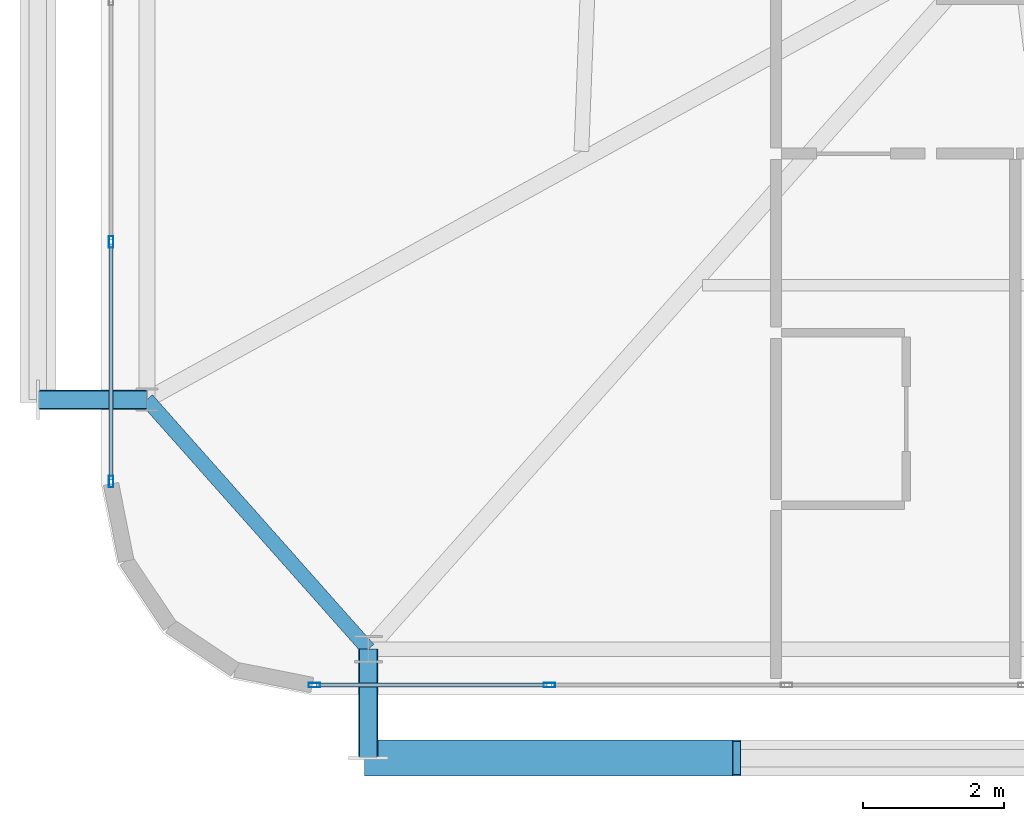
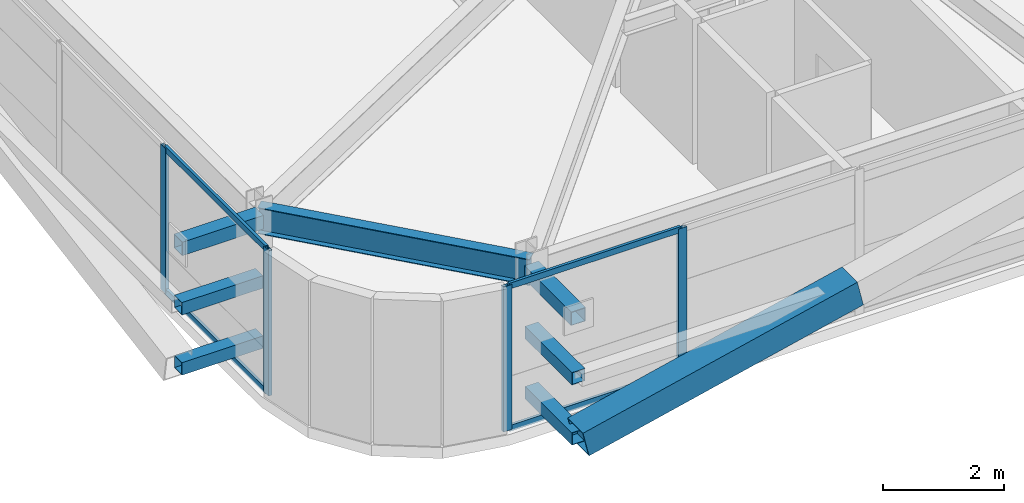
# One storey, part 5 of 58: 15 members, 1 beam, 2 elements without a shape of their own.
"""IFC4 building model written with IfcOpenShell, lengths in metres."""

from ifc_helpers import new_model, si_unit, direction, frame, origin, origin_2d, place, context, subcontext, project, spatial, hollow_rectangle, i_section, extrude, source, transform, mapped, material, layer, layer_set, material_profile, profile_set, type_object, element, aggregate, save


model = new_model("IFC4")

# Units and contexts
model_context = context("Model", 3, precision=1e-05, world=origin(), true_north=direction((0.0, 1.0)))
body_context = subcontext(model_context, "Body", "Model", "MODEL_VIEW")
ifc_project = project(units=[si_unit("LENGTHUNIT", "METRE"), si_unit("AREAUNIT", "SQUARE_METRE"), si_unit("VOLUMEUNIT", "CUBIC_METRE"), si_unit("PLANEANGLEUNIT", "RADIAN"), si_unit("MASSUNIT", "GRAM", prefix="KILO")], contexts=[model_context])

# Site, building, storey
site_placement = place(None, origin())
site = spatial("IfcSite", under=ifc_project, at=site_placement, CompositionType="ELEMENT")
building_placement = place(site_placement, origin())
building = spatial("IfcBuilding", under=site, at=building_placement, Name="Taldren Reach Tower", CompositionType="ELEMENT")
storey_placement = place(building_placement, frame((0.0, 0.0, 54.60009765625)))
storey = spatial("IfcBuildingStorey", under=building, at=storey_placement, Name="L16", CompositionType="ELEMENT", Elevation=54.60009765625)

# Beam
ifc_material_1 = material(Name="Steel Gr 350 (350PLUS)", Category="steel")
ifc_material_profile_1 = material_profile(ifc_material_1, i_section(OverallWidth=0.208984375, OverallDepth=0.528076171875, WebThickness=0.009521484375, FlangeThickness=0.01318359375, at=origin_2d()), Name="530UB82.0")
ifc_profile_set_1 = profile_set([ifc_material_profile_1], Name="Steel Gr 350 (350PLUS)")
beam_type = type_object("IfcBeamType", Name="SP-UB530B", PredefinedType="SPANDREL", material=ifc_profile_set_1)
shared_shape_1 = source(origin(), body_context, "Body", "SweptSolid", [
    extrude(i_section(OverallWidth=0.208984375, OverallDepth=0.528076171875, WebThickness=0.009521484375, FlangeThickness=0.01318359375, at=origin_2d()), origin(), (0.0, 0.0, 1.0), 4.74609375),
])
beam_placement = place(storey_placement, frame((5.64990234375, 5.699951171875, 2.666015625), z_axis=(0.663721843779, -0.747979487747, 0.0), x_axis=(0.747979487747, 0.663721843779, 0.0)))
element("IfcBeam", 1, at=beam_placement, inside=storey, type_object=beam_type, Name="Perimeter spandrel B1 W1-S1 L16", PredefinedType="SPANDREL", context=body_context, shape_type="MappedRepresentation", body=[
    mapped(shared_shape_1, transform((0.0, 0.0, 0.0), scale=1.0)),
])

# Members
ifc_material_2 = material(Name="Steel Gr 450 (C450L0)", Category="steel")
ifc_material_profile_2 = material_profile(ifc_material_2, hollow_rectangle(XDim=0.27490234375, YDim=0.27490234375, WallThickness=0.00927734375, at=origin_2d()), Name="275x275x9.3SHS")
ifc_profile_set_2 = profile_set([ifc_material_profile_2], Name="Steel Gr 450 (C450L0)")
member_type_1 = type_object("IfcMemberType", Name="MB-TIE273", PredefinedType="STRUT", material=ifc_profile_set_2)
shared_shape_2 = source(origin(), body_context, "Body", "SweptSolid", [
    extrude(hollow_rectangle(XDim=0.27490234375, YDim=0.27490234375, WallThickness=0.00927734375, at=origin_2d()), origin(), (0.0, 0.0, 1.0), 1.5498046875),
])
for number, where, z_axis, x_axis, name in (
    (2, (8.800048828125, 2.14990234375, 2.64990234375), (0.0, -1.0, 0.0), (1.0, 0.0, 0.0), "Exoskeleton diaphragm tie strut B1-S1 L16"),
    (3, (5.64990234375, 5.699951171875, 2.64990234375), (-1.0, 0.0, 0.0), (0.0, -1.0, 0.0), "Exoskeleton diaphragm tie strut B1-W1 L16"),
):
    element("IfcMember", number, at=place(storey_placement, frame(where, z_axis=z_axis, x_axis=x_axis)), inside=storey, type_object=member_type_1, Name=name, PredefinedType="STRUT", context=body_context, shape_type="MappedRepresentation", body=[
        mapped(shared_shape_2, transform((0.0, 0.0, 0.0), scale=1.0)),
    ])
ifc_material_profile_3 = material_profile(ifc_material_2, hollow_rectangle(XDim=0.510009765625, YDim=0.510009765625, WallThickness=0.02001953125, at=origin_2d()), Name="510x510x20.0SHS")
ifc_profile_set_3 = profile_set([ifc_material_profile_3], Name="Steel Gr 450 (C450L0)")
member_type_2 = type_object("IfcMemberType", Name="MB-EXO508", PredefinedType="BRACE", material=ifc_profile_set_3)
shared_shape_3 = source(origin(), body_context, "Body", "SweptSolid", [
    extrude(hollow_rectangle(XDim=0.510009765625, YDim=0.510009765625, WallThickness=0.02001953125, at=origin_2d()), origin(), (0.0, 0.0, 1.0), 5.37890625),
])
member_1_placement = place(storey_placement, frame((8.800048828125, 0.60009765625, 0.219970703125), z_axis=(0.974161966843, 0.0, 0.225850531007), x_axis=(0.0, 1.0, 0.0)))
element("IfcMember", 4, at=member_1_placement, inside=storey, type_object=member_type_2, Name="Exoskeleton Diagrid Brace B1-S1 L16", PredefinedType="BRACE", context=body_context, shape_type="MappedRepresentation", body=[
    mapped(shared_shape_3, transform((0.0, 0.0, 0.0), scale=1.0)),
])
ifc_material_3 = material(Name="Steel Gr 350 (C350L0)", Category="steel")
ifc_material_profile_4 = material_profile(ifc_material_3, hollow_rectangle(XDim=0.25, YDim=0.25, WallThickness=0.010009765625, at=origin_2d()), Name="250x250x10.0SHS")
ifc_profile_set_4 = profile_set([ifc_material_profile_4], Name="Steel Gr 350 (C350L0)")
member_type_3 = type_object("IfcMemberType", Name="MB-POST250", PredefinedType="POST", material=ifc_profile_set_4)
shared_shape_4 = source(origin(), body_context, "Body", "SweptSolid", [
    extrude(hollow_rectangle(XDim=0.25, YDim=0.25, WallThickness=0.010009765625, at=origin_2d()), origin(), (0.0, 0.0, 1.0), 1.5498046875),
])
for number, where, z_axis, x_axis, name in (
    (5, (8.800048828125, 2.14990234375, 0.219970703125), (0.0, -1.0, 0.0), (1.0, 0.0, 0.0), "Exoskeleton base diaphragm tie strut B1-S1 L16"),
    (6, (5.64990234375, 5.699951171875, 0.219970703125), (-1.0, 0.0, 0.0), (0.0, -1.0, 0.0), "Exoskeleton base diaphragm tie strut B1-W1 L16"),
    (7, (8.800048828125, 2.14990234375, 1.434814453125), (0.0, -1.0, 0.0), (1.0, 0.0, 0.0), "Exoskeleton mid-tier diaphragm tie B1-S1 L16"),
    (8, (5.64990234375, 5.699951171875, 1.434814453125), (-1.0, 0.0, 0.0), (0.0, -1.0, 0.0), "Exoskeleton mid-tier diaphragm tie B1-W1 L16"),
):
    element("IfcMember", number, at=place(storey_placement, frame(where, z_axis=z_axis, x_axis=x_axis)), inside=storey, type_object=member_type_3, Name=name, PredefinedType="POST", context=body_context, shape_type="MappedRepresentation", body=[
        mapped(shared_shape_4, transform((0.0, 0.0, 0.0), scale=1.0)),
    ])

# Curtain wall, members
ifc_material_4 = material(Name="Aluminium and Low-E Glass Unitised System", Category="aluminium")
ifc_layer = layer(ifc_material_4, 0.159912109375)
ifc_layer_set = layer_set([ifc_layer], Name="Aluminium and Low-E Glass Unitised System")
curtain_wall_type = type_object("IfcCurtainWallType", Name="CW-SYS-2", PredefinedType="NOTDEFINED", material=ifc_layer_set)
curtain_wall_1_placement = place(storey_placement, origin())
curtain_wall_1 = element("IfcCurtainWall", 9, at=curtain_wall_1_placement, inside=storey, type_object=curtain_wall_type, Name="Unitised curtain wall CW-L16-S", PredefinedType="NOTDEFINED")
ifc_material_5 = material(Name="Anodised Aluminium 6063-T6", Category="aluminium")
ifc_material_profile_5 = material_profile(ifc_material_5, hollow_rectangle(XDim=0.06494140625, YDim=0.1650390625, WallThickness=0.00390625, at=origin_2d()), Name="ALU-165x65x4RHS")
ifc_profile_set_5 = profile_set([ifc_material_profile_5], Name="Anodised Aluminium 6063-T6")
member_type_4 = type_object("IfcMemberType", Name="CW-MUL-165", PredefinedType="MULLION", material=ifc_profile_set_5)
shared_shape_5 = source(origin(), body_context, "Body", "SweptSolid", [
    extrude(hollow_rectangle(XDim=0.06494140625, YDim=0.1650390625, WallThickness=0.00390625, at=origin_2d()), origin(), (0.0, 0.0, 1.0), 2.929931640625),
])
member_2_placement = place(storey_placement, frame((8.032470703125, 1.639892578125, 0.0), z_axis=(0.0, 0.0, 1.0), x_axis=(0.0, 1.0, 0.0)))
member_2 = element("IfcMember", 10, at=member_2_placement, type_object=member_type_4, Name="CW-2 mullion 1", PredefinedType="MULLION", context=body_context, shape_type="MappedRepresentation", body=[
    mapped(shared_shape_5, transform((0.0, 0.0, 0.0), scale=1.0)),
])
member_3_placement = place(storey_placement, frame((11.375, 1.639892578125, 0.0), z_axis=(0.0, 0.0, 1.0), x_axis=(0.0, 1.0, 0.0)))
member_3 = element("IfcMember", 11, at=member_3_placement, type_object=member_type_4, Name="CW-2 mullion 2", PredefinedType="MULLION", context=body_context, shape_type="MappedRepresentation", body=[
    mapped(shared_shape_5, transform((0.0, 0.0, 0.0), scale=1.0)),
])

curtain_wall_2_placement = place(storey_placement, origin())
curtain_wall_2 = element("IfcCurtainWall", 12, at=curtain_wall_2_placement, inside=storey, type_object=curtain_wall_type, Name="Unitised curtain wall CW-L16-W", PredefinedType="NOTDEFINED")
member_4_placement = place(storey_placement, frame((5.139892578125, 7.9443359375, 0.0), z_axis=(0.0, 0.0, 1.0), x_axis=(1.0, 0.0, 0.0)))
member_4 = element("IfcMember", 13, at=member_4_placement, type_object=member_type_4, Name="CW-2 mullion 9", PredefinedType="MULLION", context=body_context, shape_type="MappedRepresentation", body=[
    mapped(shared_shape_5, transform((0.0, 0.0, 0.0), scale=1.0)),
])
member_5_placement = place(storey_placement, frame((5.139892578125, 4.532470703125, 0.0), z_axis=(0.0, 0.0, 1.0), x_axis=(1.0, 0.0, 0.0)))
member_5 = element("IfcMember", 14, at=member_5_placement, type_object=member_type_4, Name="CW-2 mullion 10", PredefinedType="MULLION", context=body_context, shape_type="MappedRepresentation", body=[
    mapped(shared_shape_5, transform((0.0, 0.0, 0.0), scale=1.0)),
])

# Member
ifc_material_profile_6 = material_profile(ifc_material_5, hollow_rectangle(XDim=0.054931640625, YDim=0.1201171875, WallThickness=0.0029296875, at=origin_2d()), Name="ALU-120x55x3RHS")
ifc_profile_set_6 = profile_set([ifc_material_profile_6], Name="Anodised Aluminium 6063-T6")
member_type_5 = type_object("IfcMemberType", Name="CW-TRN-135", PredefinedType="USERDEFINED", material=ifc_profile_set_6)
shared_shape_6 = source(origin(), body_context, "Body", "SweptSolid", [
    extrude(hollow_rectangle(XDim=0.054931640625, YDim=0.1201171875, WallThickness=0.0029296875, at=origin_2d()), origin(), (0.0, 0.0, 1.0), 3.277587890625),
])
member_6_placement = place(storey_placement, frame((8.06494140625, 1.639892578125, 0.02734375), z_axis=(1.0, 0.0, 0.0), x_axis=(0.0, 1.0, 0.0)))
member_6 = element("IfcMember", 15, at=member_6_placement, type_object=member_type_5, Name="CW-2 transom 1.1", ObjectType="TRANSOM", PredefinedType="USERDEFINED", context=body_context, shape_type="MappedRepresentation", body=[
    mapped(shared_shape_6, transform((0.0, 0.0, 0.0), scale=1.0)),
])

member_7_placement = place(storey_placement, frame((8.06494140625, 1.639892578125, 2.90234375), z_axis=(1.0, 0.0, 0.0), x_axis=(0.0, 1.0, 0.0)))
member_7 = element("IfcMember", 16, at=member_7_placement, type_object=member_type_5, Name="CW-2 transom 1.2", ObjectType="TRANSOM", PredefinedType="USERDEFINED", context=body_context, shape_type="MappedRepresentation", body=[
    mapped(shared_shape_6, transform((0.0, 0.0, 0.0), scale=1.0)),
])

aggregate(curtain_wall_1, [member_2, member_3, member_6, member_7])

shared_shape_7 = source(origin(), body_context, "Body", "SweptSolid", [
    extrude(hollow_rectangle(XDim=0.054931640625, YDim=0.1201171875, WallThickness=0.0029296875, at=origin_2d()), origin(), (0.0, 0.0, 1.0), 3.346923828125),
])
member_8_placement = place(storey_placement, frame((5.139892578125, 7.911865234375, 0.02734375), z_axis=(0.0, -1.0, 0.0), x_axis=(1.0, 0.0, 0.0)))
member_8 = element("IfcMember", 17, at=member_8_placement, type_object=member_type_5, Name="CW-2 transom 9.1", ObjectType="TRANSOM", PredefinedType="USERDEFINED", context=body_context, shape_type="MappedRepresentation", body=[
    mapped(shared_shape_7, transform((0.0, 0.0, 0.0), scale=1.0)),
])

member_9_placement = place(storey_placement, frame((5.139892578125, 7.911865234375, 2.90234375), z_axis=(0.0, -1.0, 0.0), x_axis=(1.0, 0.0, 0.0)))
member_9 = element("IfcMember", 18, at=member_9_placement, type_object=member_type_5, Name="CW-2 transom 9.2", ObjectType="TRANSOM", PredefinedType="USERDEFINED", context=body_context, shape_type="MappedRepresentation", body=[
    mapped(shared_shape_7, transform((0.0, 0.0, 0.0), scale=1.0)),
])

aggregate(curtain_wall_2, [member_4, member_5, member_8, member_9])

save(model, "model.ifc")
